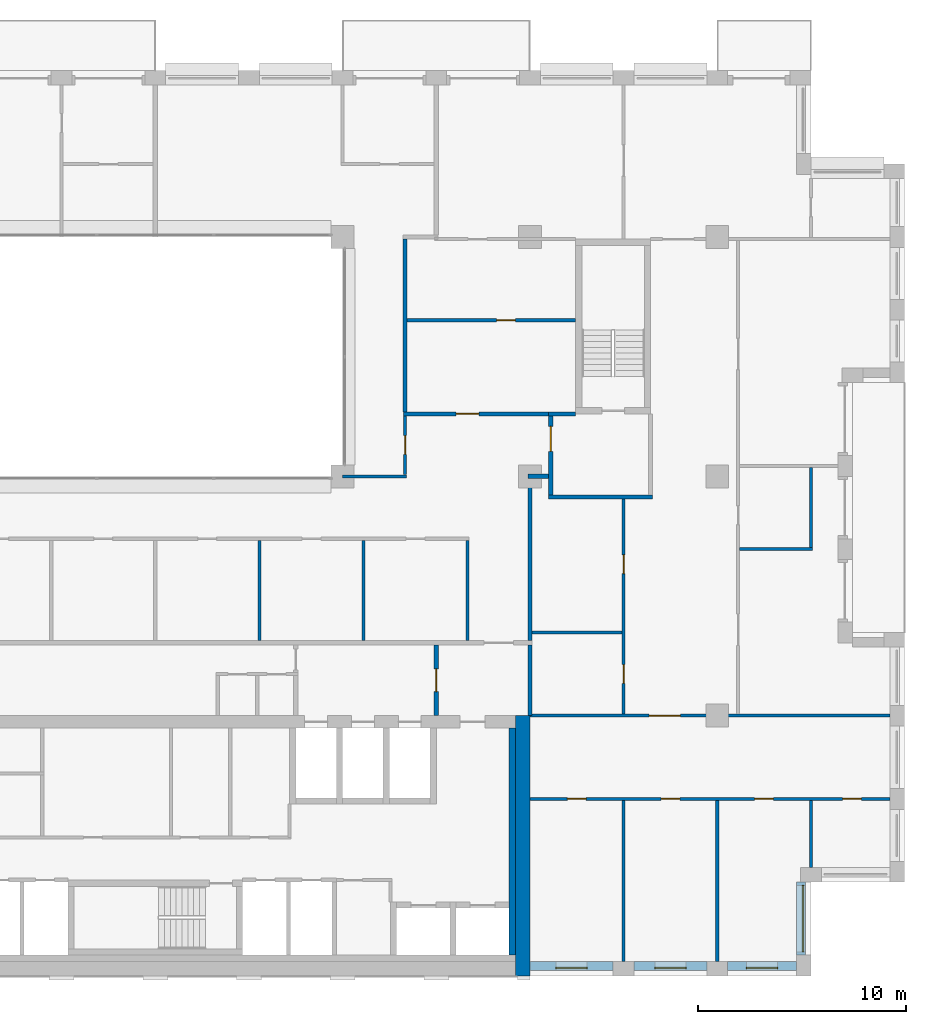
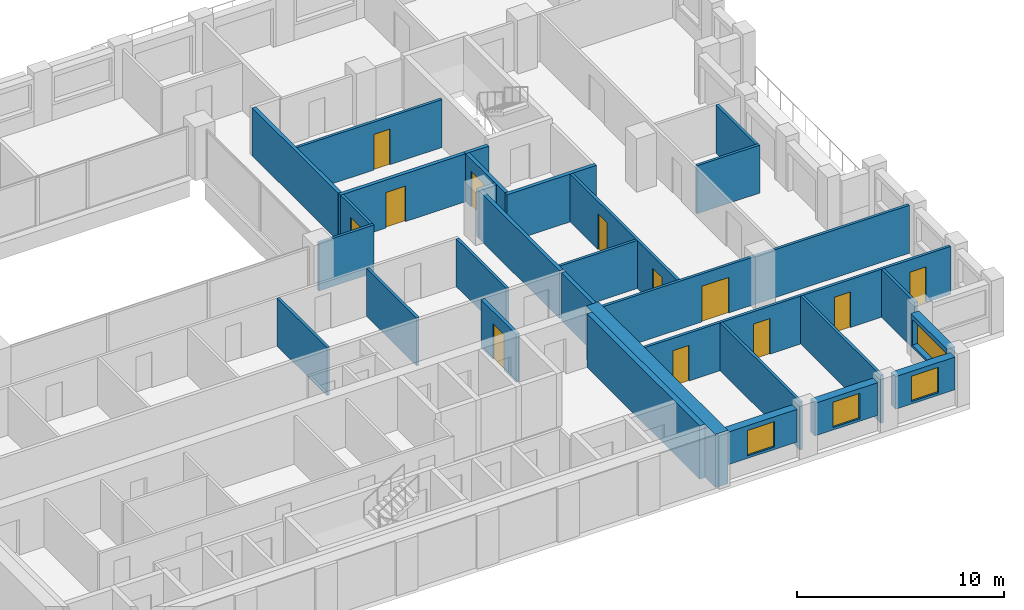
# One storey, part 11 of 16: 30 walls, 12 doors, 4 windows, 16 openings.
"""IFC4 building model written with IfcOpenShell, lengths in metres."""

from ifc_helpers import new_model, si_unit, direction, frame, frame_2d, origin, place, context, subcontext, project, spatial, rectangle, extrude, material, layer, layer_set, type_object, element, fill, save


model = new_model("IFC4")

# Units and contexts
model_context = context("Model", 3, precision=1e-05, world=origin(), true_north=direction((0.0, 1.0)))
body_context = subcontext(model_context, "Body", "Model", "MODEL_VIEW")
ifc_project = project(units=[si_unit("LENGTHUNIT", "METRE"), si_unit("AREAUNIT", "SQUARE_METRE"), si_unit("VOLUMEUNIT", "CUBIC_METRE"), si_unit("PLANEANGLEUNIT", "RADIAN"), si_unit("MASSUNIT", "GRAM", prefix="KILO")], contexts=[model_context])

# Site, building, storey
site_placement = place(None, origin())
site = spatial("IfcSite", under=ifc_project, at=site_placement, CompositionType="ELEMENT")
building_placement = place(site_placement, origin())
building = spatial("IfcBuilding", under=site, at=building_placement, Name="Brigalow Station Residences", CompositionType="ELEMENT")
storey_placement = place(building_placement, frame((0.0, 0.0, 169.64990234375)))
storey = spatial("IfcBuildingStorey", under=building, at=storey_placement, Name="L49", CompositionType="ELEMENT", Elevation=169.64990234375)

# Wall, opening, window
ifc_material_1 = material(Name="Clay brick masonry", Category="masonry")
ifc_layer_1 = layer(ifc_material_1, 0.449951171875)
ifc_layer_set_1 = layer_set([ifc_layer_1], Name="BRICK INFILL WALL 450")
wall_type_1 = type_object("IfcWallType", Name="BRICK INFILL WALL 450", PredefinedType="SOLIDWALL", material=ifc_layer_set_1)
wall_1_placement = place(storey_placement, frame((54.0, 0.47509765625, 0.900146484375), z_axis=(0.0, 0.0, 1.0), x_axis=(1.0, 0.0, 0.0)))
wall_1 = element("IfcWall", 1, at=wall_1_placement, inside=storey, type_object=wall_type_1, Name="L49/ewall/W-L49-4", PredefinedType="SOLIDWALL", context=body_context, shape_type="SweptSolid", body=[
    extrude(rectangle(XDim=4.0, YDim=0.449951171875, at=frame_2d((2.0, 0.0))), origin(), (0.0, 0.0, 1.0), 1.929931640625),
])
opening_1_placement = place(wall_1_placement, frame((1.25, 0.0, 0.14990234375)))
opening_1 = element("IfcOpeningElement", 2, at=opening_1_placement, cuts=wall_1, Name="Opening WT-1", PredefinedType="OPENING", context=body_context, shape_type="SweptSolid", body=[
    extrude(rectangle(XDim=1.5, YDim=1.5, at=frame_2d((0.75, 0.75))), frame((0.0, 0.23486328125, 0.0), z_axis=(0.0, -1.0, 0.0), x_axis=(1.0, 0.0, 0.0)), (0.0, 0.0, 1.0), 0.469970703125),
])
ifc_material_2 = material(Name="Anodised aluminium frame with double glazing", Category="aluminium")
window_type_1 = type_object("IfcWindowType", Name="WINDOW 1500x1500", PartitioningType="SINGLE_PANEL", PredefinedType="WINDOW", material=ifc_material_2)
window_1_placement = place(opening_1_placement, origin())
window_1 = element("IfcWindow", 3, at=window_1_placement, inside=storey, type_object=window_type_1, Name="L49/window/W-L49-4", OverallHeight=1.5, OverallWidth=1.5, PartitioningType="SINGLE_PANEL", PredefinedType="WINDOW", context=body_context, shape_type="SweptSolid", body=[
    extrude(rectangle(XDim=1.5, YDim=1.5, at=frame_2d((0.75, 0.75))), frame((0.0, -0.06494140625, 0.0), z_axis=(0.0, -1.0, 0.0), x_axis=(1.0, 0.0, 0.0)), (0.0, 0.0, 1.0), 0.06005859375),
])
fill(opening_1, window_1)

wall_2_placement = place(storey_placement, frame((59.0, 0.47509765625, 0.900146484375), z_axis=(0.0, 0.0, 1.0), x_axis=(1.0, 0.0, 0.0)))
wall_2 = element("IfcWall", 4, at=wall_2_placement, inside=storey, type_object=wall_type_1, Name="L49/ewall/W-L49-5", PredefinedType="SOLIDWALL", context=body_context, shape_type="SweptSolid", body=[
    extrude(rectangle(XDim=3.5, YDim=0.449951171875, at=frame_2d((1.75, 0.0))), origin(), (0.0, 0.0, 1.0), 1.929931640625),
])
opening_2_placement = place(wall_2_placement, frame((1.0, 0.0, 0.14990234375)))
opening_2 = element("IfcOpeningElement", 5, at=opening_2_placement, cuts=wall_2, Name="Opening WT-1", PredefinedType="OPENING", context=body_context, shape_type="SweptSolid", body=[
    extrude(rectangle(XDim=1.5, YDim=1.5, at=frame_2d((0.75, 0.75))), frame((0.0, 0.23486328125, 0.0), z_axis=(0.0, -1.0, 0.0), x_axis=(1.0, 0.0, 0.0)), (0.0, 0.0, 1.0), 0.469970703125),
])
window_2_placement = place(opening_2_placement, origin())
window_2 = element("IfcWindow", 6, at=window_2_placement, inside=storey, type_object=window_type_1, Name="L49/window/W-L49-5", OverallHeight=1.5, OverallWidth=1.5, PartitioningType="SINGLE_PANEL", PredefinedType="WINDOW", context=body_context, shape_type="SweptSolid", body=[
    extrude(rectangle(XDim=1.5, YDim=1.5, at=frame_2d((0.75, 0.75))), frame((0.0, -0.06494140625, 0.0), z_axis=(0.0, -1.0, 0.0), x_axis=(1.0, 0.0, 0.0)), (0.0, 0.0, 1.0), 0.06005859375),
])
fill(opening_2, window_2)

wall_3_placement = place(storey_placement, frame((63.5, 0.47509765625, 0.900146484375), z_axis=(0.0, 0.0, 1.0), x_axis=(1.0, 0.0, 0.0)))
wall_3 = element("IfcWall", 7, at=wall_3_placement, inside=storey, type_object=wall_type_1, Name="L49/ewall/W-L49-6", PredefinedType="SOLIDWALL", context=body_context, shape_type="SweptSolid", body=[
    extrude(rectangle(XDim=3.300048828125, YDim=0.449951171875, at=frame_2d((1.64990234375, 0.0))), origin(), (0.0, 0.0, 1.0), 1.929931640625),
])
opening_3_placement = place(wall_3_placement, frame((0.89990234375, 0.0, 0.14990234375)))
opening_3 = element("IfcOpeningElement", 8, at=opening_3_placement, cuts=wall_3, Name="Opening WT-1", PredefinedType="OPENING", context=body_context, shape_type="SweptSolid", body=[
    extrude(rectangle(XDim=1.5, YDim=1.5, at=frame_2d((0.75, 0.75))), frame((0.0, 0.23486328125, 0.0), z_axis=(0.0, -1.0, 0.0), x_axis=(1.0, 0.0, 0.0)), (0.0, 0.0, 1.0), 0.469970703125),
])
window_3_placement = place(opening_3_placement, origin())
window_3 = element("IfcWindow", 9, at=window_3_placement, inside=storey, type_object=window_type_1, Name="L49/window/W-L49-6", OverallHeight=1.5, OverallWidth=1.5, PartitioningType="SINGLE_PANEL", PredefinedType="WINDOW", context=body_context, shape_type="SweptSolid", body=[
    extrude(rectangle(XDim=1.5, YDim=1.5, at=frame_2d((0.75, 0.75))), frame((0.0, -0.06494140625, 0.0), z_axis=(0.0, -1.0, 0.0), x_axis=(1.0, 0.0, 0.0)), (0.0, 0.0, 1.0), 0.06005859375),
])
fill(opening_3, window_3)

wall_4_placement = place(storey_placement, frame((67.02490234375, 1.0, 0.900146484375), z_axis=(0.0, 0.0, 1.0), x_axis=(0.0, 1.0, 0.0)))
wall_4 = element("IfcWall", 10, at=wall_4_placement, inside=storey, type_object=wall_type_1, Name="L49/ewall/W-L49-7", PredefinedType="SOLIDWALL", context=body_context, shape_type="SweptSolid", body=[
    extrude(rectangle(XDim=3.5, YDim=0.449951171875, at=frame_2d((1.75, 0.0))), origin(), (0.0, 0.0, 1.0), 1.929931640625),
])
opening_4_placement = place(wall_4_placement, frame((0.14990234375, 0.0, 0.14990234375)))
opening_4 = element("IfcOpeningElement", 11, at=opening_4_placement, cuts=wall_4, Name="Opening WT-9", PredefinedType="OPENING", context=body_context, shape_type="SweptSolid", body=[
    extrude(rectangle(XDim=3.199951171875, YDim=1.5, at=frame_2d((1.60009765625, 0.75))), frame((0.0, 0.23486328125, 0.0), z_axis=(0.0, -1.0, 0.0), x_axis=(1.0, 0.0, 0.0)), (0.0, 0.0, 1.0), 0.469970703125),
])
ifc_material_3 = material(Name="Anodised aluminium frame with double glazing", Category="aluminium")
window_type_2 = type_object("IfcWindowType", Name="WINDOW 3200x1500", PartitioningType="SINGLE_PANEL", PredefinedType="WINDOW", material=ifc_material_3)
window_4_placement = place(opening_4_placement, origin())
window_4 = element("IfcWindow", 12, at=window_4_placement, inside=storey, type_object=window_type_2, Name="L49/window/W-L49-7", OverallHeight=1.5, OverallWidth=3.199951171875, PartitioningType="SINGLE_PANEL", PredefinedType="WINDOW", context=body_context, shape_type="SweptSolid", body=[
    extrude(rectangle(XDim=3.199951171875, YDim=1.5, at=frame_2d((1.60009765625, 0.75))), frame((0.0, -0.06494140625, 0.0), z_axis=(0.0, -1.0, 0.0), x_axis=(1.0, 0.0, 0.0)), (0.0, 0.0, 1.0), 0.06005859375),
])
fill(opening_4, window_4)

# Walls
ifc_material_4 = material(Name="Concrete C65", Category="concrete")
ifc_layer_2 = layer(ifc_material_4, 0.300048828125)
ifc_layer_set_2 = layer_set([ifc_layer_2], Name="CORE SHEAR WALL 300 C65")
wall_type_2 = type_object("IfcWallType", Name="CORE SHEAR WALL 300 C65", PredefinedType="SHEAR", material=ifc_layer_set_2)
wall_5_placement = place(storey_placement, frame((53.14990234375, 1.0, 0.0), z_axis=(0.0, 0.0, 1.0), x_axis=(0.0, 1.0, 0.0)))
element("IfcWall", 13, at=wall_5_placement, inside=storey, type_object=wall_type_2, Name="CORE WALL LIN-E L49", PredefinedType="SHEAR", context=body_context, shape_type="SweptSolid", body=[
    extrude(rectangle(XDim=10.89990234375, YDim=0.300048828125, at=frame_2d((5.449951171875, 0.0))), origin(), (0.0, 0.0, 1.0), 3.150146484375),
])
ifc_material_5 = material(Name="Concrete C65", Category="concrete")
ifc_layer_3 = layer(ifc_material_5, 0.699951171875)
ifc_layer_set_3 = layer_set([ifc_layer_3], Name="CORE SHEAR WALL 700 C65")
wall_type_3 = type_object("IfcWallType", Name="CORE SHEAR WALL 700 C65", PredefinedType="SHEAR", material=ifc_layer_set_3)
wall_6_placement = place(storey_placement, frame((53.64990234375, 0.0, 0.0), z_axis=(0.0, 0.0, 1.0), x_axis=(0.0, 1.0, 0.0)))
element("IfcWall", 14, at=wall_6_placement, inside=storey, type_object=wall_type_3, Name="CORE WALL OUT-E L49", PredefinedType="SHEAR", context=body_context, shape_type="SweptSolid", body=[
    extrude(rectangle(XDim=12.5, YDim=0.699951171875, at=frame_2d((6.25, 0.0))), origin(), (0.0, 0.0, 1.0), 3.150146484375),
])
ifc_material_6 = material(Name="Concrete blockwork", Category="masonry")
ifc_layer_4 = layer(ifc_material_6, 0.199951171875)
ifc_layer_set_4 = layer_set([ifc_layer_4], Name="FIRE RATED CORE PARTITION 200")
wall_type_4 = type_object("IfcWallType", Name="FIRE RATED CORE PARTITION 200", PredefinedType="PARTITIONING", material=ifc_layer_set_4)
wall_7_placement = place(storey_placement, frame((54.89990234375, 23.0, 0.0), z_axis=(0.0, 0.0, 1.0), x_axis=(1.0, 0.0, 0.0)))
element("IfcWall", 15, at=wall_7_placement, inside=storey, type_object=wall_type_4, Name="PW-5024", PredefinedType="PARTITIONING", context=body_context, shape_type="SweptSolid", body=[
    extrude(rectangle(XDim=5.0, YDim=0.199951171875, at=frame_2d((2.5, 0.0))), origin(), (0.0, 0.0, 1.0), 2.830078125),
])
wall_8_placement = place(storey_placement, frame((54.89990234375, 27.0, 0.0), z_axis=(0.0, 0.0, 1.0), x_axis=(1.0, 0.0, 0.0)))
element("IfcWall", 16, at=wall_8_placement, inside=storey, type_object=wall_type_4, Name="PW-5026", PredefinedType="PARTITIONING", context=body_context, shape_type="SweptSolid", body=[
    extrude(rectangle(XDim=1.300048828125, YDim=0.199951171875, at=frame_2d((0.64990234375, 0.0))), origin(), (0.0, 0.0, 1.0), 2.830078125),
])

# Wall, opening, door
wall_9_placement = place(storey_placement, frame((49.5, 12.5, 0.0), z_axis=(0.0, 0.0, 1.0), x_axis=(0.0, 1.0, 0.0)))
wall_9 = element("IfcWall", 17, at=wall_9_placement, inside=storey, type_object=wall_type_4, Name="PW-5015", PredefinedType="PARTITIONING", context=body_context, shape_type="SweptSolid", body=[
    extrude(rectangle(XDim=3.39990234375, YDim=0.199951171875, at=frame_2d((1.699951171875, 0.0))), origin(), (0.0, 0.0, 1.0), 2.830078125),
])
opening_5_placement = place(wall_9_placement, frame((1.14990234375, 0.0, 0.0)))
opening_5 = element("IfcOpeningElement", 18, at=opening_5_placement, cuts=wall_9, Name="Opening D-5014", PredefinedType="OPENING", context=body_context, shape_type="SweptSolid", body=[
    extrude(rectangle(XDim=1.10009765625, YDim=2.10009765625, at=frame_2d((0.550048828125, 1.050048828125))), frame((0.0, 0.10986328125, 0.0), z_axis=(0.0, -1.0, 0.0), x_axis=(1.0, 0.0, 0.0)), (0.0, 0.0, 1.0), 0.219970703125),
])
ifc_material_7 = material(Name="Steel fire door leaf in steel frame", Category="steel")
door_type_1 = type_object("IfcDoorType", Name="LOBBY DOOR 1100 x 2100 FD60S", OperationType="SINGLE_SWING_LEFT", PredefinedType="DOOR", material=ifc_material_7)
door_1_placement = place(opening_5_placement, origin())
door_1 = element("IfcDoor", 19, at=door_1_placement, inside=storey, type_object=door_type_1, Name="D-5014", OperationType="SINGLE_SWING_LEFT", OverallHeight=2.10009765625, OverallWidth=1.10009765625, PredefinedType="DOOR", context=body_context, shape_type="SweptSolid", body=[
    extrude(rectangle(XDim=1.10009765625, YDim=2.10009765625, at=frame_2d((0.550048828125, 1.050048828125))), frame((0.0, 0.02490234375, 0.0), z_axis=(0.0, -1.0, 0.0), x_axis=(1.0, 0.0, 0.0)), (0.0, 0.0, 1.0), 0.050048828125),
])
fill(opening_5, door_1)

# Wall
wall_10_placement = place(storey_placement, frame((54.0, 12.5, 0.0), z_axis=(0.0, 0.0, 1.0), x_axis=(0.0, 1.0, 0.0)))
element("IfcWall", 20, at=wall_10_placement, inside=storey, type_object=wall_type_4, Name="PW-5016", PredefinedType="PARTITIONING", context=body_context, shape_type="SweptSolid", body=[
    extrude(rectangle(XDim=3.39990234375, YDim=0.199951171875, at=frame_2d((1.699951171875, 0.0))), origin(), (0.0, 0.0, 1.0), 2.830078125),
])

# Wall, opening, door
wall_11_placement = place(storey_placement, frame((55.0, 23.10009765625, 0.0), z_axis=(0.0, 0.0, 1.0), x_axis=(0.0, 1.0, 0.0)))
wall_11 = element("IfcWall", 21, at=wall_11_placement, inside=storey, type_object=wall_type_4, Name="PW-5036", PredefinedType="PARTITIONING", context=body_context, shape_type="SweptSolid", body=[
    extrude(rectangle(XDim=3.7998046875, YDim=0.199951171875, at=frame_2d((1.89990234375, 0.0))), origin(), (0.0, 0.0, 1.0), 2.830078125),
])
opening_6_placement = place(wall_11_placement, frame((2.10009765625, 0.0, 0.0)))
opening_6 = element("IfcOpeningElement", 22, at=opening_6_placement, cuts=wall_11, Name="Opening D-5019", PredefinedType="OPENING", context=body_context, shape_type="SweptSolid", body=[
    extrude(rectangle(XDim=1.199951171875, YDim=2.10009765625, at=frame_2d((0.60009765625, 1.050048828125))), frame((0.0, 0.10986328125, 0.0), z_axis=(0.0, -1.0, 0.0), x_axis=(1.0, 0.0, 0.0)), (0.0, 0.0, 1.0), 0.219970703125),
])
ifc_material_8 = material(Name="Steel fire door leaf in steel frame", Category="steel")
door_type_2 = type_object("IfcDoorType", Name="STAIR LOBBY DOOR 1200 x 2100 FD60S", OperationType="SINGLE_SWING_LEFT", PredefinedType="DOOR", material=ifc_material_8)
door_2_placement = place(opening_6_placement, frame((1.199951171875, 0.0, 0.0), z_axis=(0.0, 0.0, 1.0), x_axis=(-1.0, 0.0, 0.0)))
door_2 = element("IfcDoor", 23, at=door_2_placement, inside=storey, type_object=door_type_2, Name="D-5019", OperationType="SINGLE_SWING_LEFT", OverallHeight=2.10009765625, OverallWidth=1.199951171875, PredefinedType="DOOR", context=body_context, shape_type="SweptSolid", body=[
    extrude(rectangle(XDim=1.199951171875, YDim=2.10009765625, at=frame_2d((0.60009765625, 1.050048828125))), frame((0.0, 0.02490234375, 0.0), z_axis=(0.0, -1.0, 0.0), x_axis=(1.0, 0.0, 0.0)), (0.0, 0.0, 1.0), 0.050048828125),
])
fill(opening_6, door_2)

# Wall
ifc_material_9 = material(Name="Plasterboard on steel stud partition", Category="steel")
ifc_layer_5 = layer(ifc_material_9, 0.14990234375)
ifc_layer_set_5 = layer_set([ifc_layer_5], Name="FLAT PARTITION 150")
wall_type_5 = type_object("IfcWallType", Name="FLAT PARTITION 150", PredefinedType="PARTITIONING", material=ifc_layer_set_5)
wall_12_placement = place(storey_placement, frame((45.0, 24.0, 0.0), z_axis=(0.0, 0.0, 1.0), x_axis=(1.0, 0.0, 0.0)))
element("IfcWall", 24, at=wall_12_placement, inside=storey, type_object=wall_type_5, Name="PW-3D01", PredefinedType="PARTITIONING", context=body_context, shape_type="SweptSolid", body=[
    extrude(rectangle(XDim=3.074951171875, YDim=0.14990234375, at=frame_2d((1.53759765625, 0.0))), origin(), (0.0, 0.0, 1.0), 2.830078125),
])

# Wall, openings, doors
wall_13_placement = place(storey_placement, frame((54.0, 8.5, 0.0), z_axis=(0.0, 0.0, 1.0), x_axis=(1.0, 0.0, 0.0)))
wall_13 = element("IfcWall", 25, at=wall_13_placement, inside=storey, type_object=wall_type_5, Name="PW-3D09", PredefinedType="PARTITIONING", context=body_context, shape_type="SweptSolid", body=[
    extrude(rectangle(XDim=17.300048828125, YDim=0.14990234375, at=frame_2d((8.64990234375, 0.0))), origin(), (0.0, 0.0, 1.0), 2.830078125),
])
opening_7_placement = place(wall_13_placement, frame((1.800048828125, 0.0, 0.0)))
opening_7 = element("IfcOpeningElement", 26, at=opening_7_placement, cuts=wall_13, Name="Opening D-3D31", PredefinedType="OPENING", context=body_context, shape_type="SweptSolid", body=[
    extrude(rectangle(XDim=0.89990234375, YDim=2.10009765625, at=frame_2d((0.449951171875, 1.050048828125))), frame((0.0, 0.0849609375, 0.0), z_axis=(0.0, -1.0, 0.0), x_axis=(1.0, 0.0, 0.0)), (0.0, 0.0, 1.0), 0.169921875),
])
opening_8_placement = place(wall_13_placement, frame((6.300048828125, 0.0, 0.0)))
opening_8 = element("IfcOpeningElement", 27, at=opening_8_placement, cuts=wall_13, Name="Opening D-3D32", PredefinedType="OPENING", context=body_context, shape_type="SweptSolid", body=[
    extrude(rectangle(XDim=0.89990234375, YDim=2.10009765625, at=frame_2d((0.449951171875, 1.050048828125))), frame((0.0, 0.0849609375, 0.0), z_axis=(0.0, -1.0, 0.0), x_axis=(1.0, 0.0, 0.0)), (0.0, 0.0, 1.0), 0.169921875),
])
opening_9_placement = place(wall_13_placement, frame((10.800048828125, 0.0, 0.0)))
opening_9 = element("IfcOpeningElement", 28, at=opening_9_placement, cuts=wall_13, Name="Opening D-3D33", PredefinedType="OPENING", context=body_context, shape_type="SweptSolid", body=[
    extrude(rectangle(XDim=0.89990234375, YDim=2.10009765625, at=frame_2d((0.449951171875, 1.050048828125))), frame((0.0, 0.0849609375, 0.0), z_axis=(0.0, -1.0, 0.0), x_axis=(1.0, 0.0, 0.0)), (0.0, 0.0, 1.0), 0.169921875),
])
opening_10_placement = place(wall_13_placement, frame((15.02490234375, 0.0, 0.0)))
opening_10 = element("IfcOpeningElement", 29, at=opening_10_placement, cuts=wall_13, Name="Opening D-3D34", PredefinedType="OPENING", context=body_context, shape_type="SweptSolid", body=[
    extrude(rectangle(XDim=0.89990234375, YDim=2.10009765625, at=frame_2d((0.449951171875, 1.050048828125))), frame((0.0, 0.0849609375, 0.0), z_axis=(0.0, -1.0, 0.0), x_axis=(1.0, 0.0, 0.0)), (0.0, 0.0, 1.0), 0.169921875),
])
ifc_material_10 = material(Name="Solid-core timber door leaf", Category="wood")
door_type_3 = type_object("IfcDoorType", Name="INTERNAL DOOR 900 x 2100", OperationType="SINGLE_SWING_LEFT", PredefinedType="DOOR", material=ifc_material_10)
door_3_placement = place(opening_7_placement, frame((0.89990234375, 0.0, 0.0), z_axis=(0.0, 0.0, 1.0), x_axis=(-1.0, 0.0, 0.0)))
door_3 = element("IfcDoor", 30, at=door_3_placement, inside=storey, type_object=door_type_3, Name="D-3D31", OperationType="SINGLE_SWING_LEFT", OverallHeight=2.10009765625, OverallWidth=0.89990234375, PredefinedType="DOOR", context=body_context, shape_type="SweptSolid", body=[
    extrude(rectangle(XDim=0.89990234375, YDim=2.10009765625, at=frame_2d((0.449951171875, 1.050048828125))), frame((0.0, 0.02490234375, 0.0), z_axis=(0.0, -1.0, 0.0), x_axis=(1.0, 0.0, 0.0)), (0.0, 0.0, 1.0), 0.050048828125),
])
fill(opening_7, door_3)
door_4_placement = place(opening_8_placement, frame((0.89990234375, 0.0, 0.0), z_axis=(0.0, 0.0, 1.0), x_axis=(-1.0, 0.0, 0.0)))
door_4 = element("IfcDoor", 31, at=door_4_placement, inside=storey, type_object=door_type_3, Name="D-3D32", OperationType="SINGLE_SWING_LEFT", OverallHeight=2.10009765625, OverallWidth=0.89990234375, PredefinedType="DOOR", context=body_context, shape_type="SweptSolid", body=[
    extrude(rectangle(XDim=0.89990234375, YDim=2.10009765625, at=frame_2d((0.449951171875, 1.050048828125))), frame((0.0, 0.02490234375, 0.0), z_axis=(0.0, -1.0, 0.0), x_axis=(1.0, 0.0, 0.0)), (0.0, 0.0, 1.0), 0.050048828125),
])
fill(opening_8, door_4)
door_5_placement = place(opening_9_placement, frame((0.89990234375, 0.0, 0.0), z_axis=(0.0, 0.0, 1.0), x_axis=(-1.0, 0.0, 0.0)))
door_5 = element("IfcDoor", 32, at=door_5_placement, inside=storey, type_object=door_type_3, Name="D-3D33", OperationType="SINGLE_SWING_RIGHT", OverallHeight=2.10009765625, OverallWidth=0.89990234375, PredefinedType="DOOR", context=body_context, shape_type="SweptSolid", body=[
    extrude(rectangle(XDim=0.89990234375, YDim=2.10009765625, at=frame_2d((0.449951171875, 1.050048828125))), frame((0.0, 0.02490234375, 0.0), z_axis=(0.0, -1.0, 0.0), x_axis=(1.0, 0.0, 0.0)), (0.0, 0.0, 1.0), 0.050048828125),
])
fill(opening_9, door_5)
door_6_placement = place(opening_10_placement, frame((0.89990234375, 0.0, 0.0), z_axis=(0.0, 0.0, 1.0), x_axis=(-1.0, 0.0, 0.0)))
door_6 = element("IfcDoor", 33, at=door_6_placement, inside=storey, type_object=door_type_3, Name="D-3D34", OperationType="SINGLE_SWING_LEFT", OverallHeight=2.10009765625, OverallWidth=0.89990234375, PredefinedType="DOOR", context=body_context, shape_type="SweptSolid", body=[
    extrude(rectangle(XDim=0.89990234375, YDim=2.10009765625, at=frame_2d((0.449951171875, 1.050048828125))), frame((0.0, 0.02490234375, 0.0), z_axis=(0.0, -1.0, 0.0), x_axis=(1.0, 0.0, 0.0)), (0.0, 0.0, 1.0), 0.050048828125),
])
fill(opening_10, door_6)

# Wall, opening, door
wall_14_placement = place(storey_placement, frame((54.0, 12.5, 0.0), z_axis=(0.0, 0.0, 1.0), x_axis=(1.0, 0.0, 0.0)))
wall_14 = element("IfcWall", 34, at=wall_14_placement, inside=storey, type_object=wall_type_5, Name="PW-3D11", PredefinedType="PARTITIONING", context=body_context, shape_type="SweptSolid", body=[
    extrude(rectangle(XDim=17.300048828125, YDim=0.14990234375, at=frame_2d((8.64990234375, 0.0))), origin(), (0.0, 0.0, 1.0), 2.830078125),
])
opening_11_placement = place(wall_14_placement, frame((5.72509765625, 0.0, 0.0)))
opening_11 = element("IfcOpeningElement", 35, at=opening_11_placement, cuts=wall_14, Name="Opening D-3D30", PredefinedType="OPENING", context=body_context, shape_type="SweptSolid", body=[
    extrude(rectangle(XDim=1.5, YDim=2.10009765625, at=frame_2d((0.75, 1.050048828125))), frame((0.0, 0.0849609375, 0.0), z_axis=(0.0, -1.0, 0.0), x_axis=(1.0, 0.0, 0.0)), (0.0, 0.0, 1.0), 0.169921875),
])
ifc_material_11 = material(Name="Solid-core timber door leaf", Category="wood")
door_type_4 = type_object("IfcDoorType", Name="INTERNAL DOUBLE DOOR 1500 x 2100", OperationType="DOUBLE_DOOR_SINGLE_SWING", PredefinedType="DOOR", material=ifc_material_11)
door_7_placement = place(opening_11_placement, frame((1.5, 0.0, 0.0), z_axis=(0.0, 0.0, 1.0), x_axis=(-1.0, 0.0, 0.0)))
door_7 = element("IfcDoor", 36, at=door_7_placement, inside=storey, type_object=door_type_4, Name="D-3D30", OperationType="DOUBLE_DOOR_SINGLE_SWING", OverallHeight=2.10009765625, OverallWidth=1.5, PredefinedType="DOOR", context=body_context, shape_type="SweptSolid", body=[
    extrude(rectangle(XDim=1.5, YDim=2.10009765625, at=frame_2d((0.75, 1.050048828125))), frame((0.0, 0.02490234375, 0.0), z_axis=(0.0, -1.0, 0.0), x_axis=(1.0, 0.0, 0.0)), (0.0, 0.0, 1.0), 0.050048828125),
])
fill(opening_11, door_7)

# Wall
wall_15_placement = place(storey_placement, frame((54.10009765625, 16.5, 0.0), z_axis=(0.0, 0.0, 1.0), x_axis=(1.0, 0.0, 0.0)))
element("IfcWall", 37, at=wall_15_placement, inside=storey, type_object=wall_type_5, Name="PW-3D14", PredefinedType="PARTITIONING", context=body_context, shape_type="SweptSolid", body=[
    extrude(rectangle(XDim=4.324951171875, YDim=0.14990234375, at=frame_2d((2.16259765625, 0.0))), origin(), (0.0, 0.0, 1.0), 2.830078125),
])

# Wall, opening, door
wall_16_placement = place(storey_placement, frame((48.10009765625, 31.5, 0.0), z_axis=(0.0, 0.0, 1.0), x_axis=(1.0, 0.0, 0.0)))
wall_16 = element("IfcWall", 38, at=wall_16_placement, inside=storey, type_object=wall_type_5, Name="PW-3D25", PredefinedType="PARTITIONING", context=body_context, shape_type="SweptSolid", body=[
    extrude(rectangle(XDim=8.099853515625, YDim=0.14990234375, at=frame_2d((4.0498046875, 0.0))), origin(), (0.0, 0.0, 1.0), 2.830078125),
])
opening_12_placement = place(wall_16_placement, frame((4.300048828125, 0.0, 0.0)))
opening_12 = element("IfcOpeningElement", 39, at=opening_12_placement, cuts=wall_16, Name="Opening D-3D20", PredefinedType="OPENING", context=body_context, shape_type="SweptSolid", body=[
    extrude(rectangle(XDim=0.89990234375, YDim=2.10009765625, at=frame_2d((0.449951171875, 1.050048828125))), frame((0.0, 0.0849609375, 0.0), z_axis=(0.0, -1.0, 0.0), x_axis=(1.0, 0.0, 0.0)), (0.0, 0.0, 1.0), 0.169921875),
])
door_8_placement = place(opening_12_placement, origin())
door_8 = element("IfcDoor", 40, at=door_8_placement, inside=storey, type_object=door_type_3, Name="D-3D20", OperationType="SINGLE_SWING_RIGHT", OverallHeight=2.10009765625, OverallWidth=0.89990234375, PredefinedType="DOOR", context=body_context, shape_type="SweptSolid", body=[
    extrude(rectangle(XDim=0.89990234375, YDim=2.10009765625, at=frame_2d((0.449951171875, 1.050048828125))), frame((0.0, 0.02490234375, 0.0), z_axis=(0.0, -1.0, 0.0), x_axis=(1.0, 0.0, 0.0)), (0.0, 0.0, 1.0), 0.050048828125),
])
fill(opening_12, door_8)

# Walls
wall_17_placement = place(storey_placement, frame((64.074951171875, 20.5, 0.0), z_axis=(0.0, 0.0, 1.0), x_axis=(1.0, 0.0, 0.0)))
element("IfcWall", 41, at=wall_17_placement, inside=storey, type_object=wall_type_5, Name="PW-3D26", PredefinedType="PARTITIONING", context=body_context, shape_type="SweptSolid", body=[
    extrude(rectangle(XDim=3.5, YDim=0.14990234375, at=frame_2d((1.75, 0.0))), origin(), (0.0, 0.0, 1.0), 2.830078125),
])
wall_18_placement = place(storey_placement, frame((51.0, 16.10009765625, 0.0), z_axis=(0.0, 0.0, 1.0), x_axis=(0.0, 1.0, 0.0)))
element("IfcWall", 42, at=wall_18_placement, inside=storey, type_object=wall_type_5, Name="PW-3D31", PredefinedType="PARTITIONING", context=body_context, shape_type="SweptSolid", body=[
    extrude(rectangle(XDim=4.824951171875, YDim=0.14990234375, at=frame_2d((2.41259765625, 0.0))), origin(), (0.0, 0.0, 1.0), 2.830078125),
])

# Wall, opening, door
wall_19_placement = place(storey_placement, frame((48.0, 24.074951171875, 0.0), z_axis=(0.0, 0.0, 1.0), x_axis=(0.0, 1.0, 0.0)))
wall_19 = element("IfcWall", 43, at=wall_19_placement, inside=storey, type_object=wall_type_5, Name="PW-3D33", PredefinedType="PARTITIONING", context=body_context, shape_type="SweptSolid", body=[
    extrude(rectangle(XDim=2.824951171875, YDim=0.14990234375, at=frame_2d((1.41259765625, 0.0))), origin(), (0.0, 0.0, 1.0), 2.830078125),
])
opening_13_placement = place(wall_19_placement, frame((0.97509765625, 0.0, 0.0)))
opening_13 = element("IfcOpeningElement", 44, at=opening_13_placement, cuts=wall_19, Name="Opening D-3D35", PredefinedType="OPENING", context=body_context, shape_type="SweptSolid", body=[
    extrude(rectangle(XDim=0.89990234375, YDim=2.10009765625, at=frame_2d((0.449951171875, 1.050048828125))), frame((0.0, 0.0849609375, 0.0), z_axis=(0.0, -1.0, 0.0), x_axis=(1.0, 0.0, 0.0)), (0.0, 0.0, 1.0), 0.169921875),
])
door_9_placement = place(opening_13_placement, frame((0.89990234375, 0.0, 0.0), z_axis=(0.0, 0.0, 1.0), x_axis=(-1.0, 0.0, 0.0)))
door_9 = element("IfcDoor", 45, at=door_9_placement, inside=storey, type_object=door_type_3, Name="D-3D35", OperationType="SINGLE_SWING_LEFT", OverallHeight=2.10009765625, OverallWidth=0.89990234375, PredefinedType="DOOR", context=body_context, shape_type="SweptSolid", body=[
    extrude(rectangle(XDim=0.89990234375, YDim=2.10009765625, at=frame_2d((0.449951171875, 1.050048828125))), frame((0.0, 0.02490234375, 0.0), z_axis=(0.0, -1.0, 0.0), x_axis=(1.0, 0.0, 0.0)), (0.0, 0.0, 1.0), 0.050048828125),
])
fill(opening_13, door_9)

# Wall
wall_20_placement = place(storey_placement, frame((58.5, 0.699951171875, 0.0), z_axis=(0.0, 0.0, 1.0), x_axis=(0.0, 1.0, 0.0)))
element("IfcWall", 46, at=wall_20_placement, inside=storey, type_object=wall_type_5, Name="PW-3D46", PredefinedType="PARTITIONING", context=body_context, shape_type="SweptSolid", body=[
    extrude(rectangle(XDim=7.72509765625, YDim=0.14990234375, at=frame_2d((3.862548828125, 0.0))), origin(), (0.0, 0.0, 1.0), 2.830078125),
])

# Wall, openings, doors
wall_21_placement = place(storey_placement, frame((58.5, 12.574951171875, 0.0), z_axis=(0.0, 0.0, 1.0), x_axis=(0.0, 1.0, 0.0)))
wall_21 = element("IfcWall", 47, at=wall_21_placement, inside=storey, type_object=wall_type_5, Name="PW-3D47", PredefinedType="PARTITIONING", context=body_context, shape_type="SweptSolid", body=[
    extrude(rectangle(XDim=10.324951171875, YDim=0.14990234375, at=frame_2d((5.16259765625, 0.0))), origin(), (0.0, 0.0, 1.0), 2.830078125),
])
opening_14_placement = place(wall_21_placement, frame((6.75, 0.0, 0.0)))
opening_14 = element("IfcOpeningElement", 48, at=opening_14_placement, cuts=wall_21, Name="Opening D-3D27", PredefinedType="OPENING", context=body_context, shape_type="SweptSolid", body=[
    extrude(rectangle(XDim=0.89990234375, YDim=2.10009765625, at=frame_2d((0.449951171875, 1.050048828125))), frame((0.0, 0.0849609375, 0.0), z_axis=(0.0, -1.0, 0.0), x_axis=(1.0, 0.0, 0.0)), (0.0, 0.0, 1.0), 0.169921875),
])
opening_15_placement = place(wall_21_placement, frame((1.47509765625, 0.0, 0.0)))
opening_15 = element("IfcOpeningElement", 49, at=opening_15_placement, cuts=wall_21, Name="Opening D-3D29", PredefinedType="OPENING", context=body_context, shape_type="SweptSolid", body=[
    extrude(rectangle(XDim=0.89990234375, YDim=2.10009765625, at=frame_2d((0.449951171875, 1.050048828125))), frame((0.0, 0.0849609375, 0.0), z_axis=(0.0, -1.0, 0.0), x_axis=(1.0, 0.0, 0.0)), (0.0, 0.0, 1.0), 0.169921875),
])
door_10_placement = place(opening_14_placement, origin())
door_10 = element("IfcDoor", 50, at=door_10_placement, inside=storey, type_object=door_type_3, Name="D-3D27", OperationType="SINGLE_SWING_RIGHT", OverallHeight=2.10009765625, OverallWidth=0.89990234375, PredefinedType="DOOR", context=body_context, shape_type="SweptSolid", body=[
    extrude(rectangle(XDim=0.89990234375, YDim=2.10009765625, at=frame_2d((0.449951171875, 1.050048828125))), frame((0.0, 0.02490234375, 0.0), z_axis=(0.0, -1.0, 0.0), x_axis=(1.0, 0.0, 0.0)), (0.0, 0.0, 1.0), 0.050048828125),
])
fill(opening_14, door_10)
door_11_placement = place(opening_15_placement, origin())
door_11 = element("IfcDoor", 51, at=door_11_placement, inside=storey, type_object=door_type_3, Name="D-3D29", OperationType="SINGLE_SWING_RIGHT", OverallHeight=2.10009765625, OverallWidth=0.89990234375, PredefinedType="DOOR", context=body_context, shape_type="SweptSolid", body=[
    extrude(rectangle(XDim=0.89990234375, YDim=2.10009765625, at=frame_2d((0.449951171875, 1.050048828125))), frame((0.0, 0.02490234375, 0.0), z_axis=(0.0, -1.0, 0.0), x_axis=(1.0, 0.0, 0.0)), (0.0, 0.0, 1.0), 0.050048828125),
])
fill(opening_15, door_11)

# Walls
wall_22_placement = place(storey_placement, frame((67.5, 5.199951171875, 0.0), z_axis=(0.0, 0.0, 1.0), x_axis=(0.0, 1.0, 0.0)))
element("IfcWall", 52, at=wall_22_placement, inside=storey, type_object=wall_type_5, Name="PW-3D49", PredefinedType="PARTITIONING", context=body_context, shape_type="SweptSolid", body=[
    extrude(rectangle(XDim=3.22509765625, YDim=0.14990234375, at=frame_2d((1.612548828125, 0.0))), origin(), (0.0, 0.0, 1.0), 2.830078125),
])
wall_23_placement = place(storey_placement, frame((67.5, 20.574951171875, 0.0), z_axis=(0.0, 0.0, 1.0), x_axis=(0.0, 1.0, 0.0)))
element("IfcWall", 53, at=wall_23_placement, inside=storey, type_object=wall_type_5, Name="PW-3D50", PredefinedType="PARTITIONING", context=body_context, shape_type="SweptSolid", body=[
    extrude(rectangle(XDim=3.85009765625, YDim=0.14990234375, at=frame_2d((1.925048828125, 0.0))), origin(), (0.0, 0.0, 1.0), 2.830078125),
])
wall_24_placement = place(storey_placement, frame((63.0, 0.699951171875, 0.0), z_axis=(0.0, 0.0, 1.0), x_axis=(0.0, 1.0, 0.0)))
element("IfcWall", 54, at=wall_24_placement, inside=storey, type_object=wall_type_5, Name="PW-3D53", PredefinedType="PARTITIONING", context=body_context, shape_type="SweptSolid", body=[
    extrude(rectangle(XDim=7.72509765625, YDim=0.14990234375, at=frame_2d((3.862548828125, 0.0))), origin(), (0.0, 0.0, 1.0), 2.830078125),
])
for number, where, z_axis, x_axis, name in (
    (55, (41.0, 16.10009765625, 0.0), (0.0, 0.0, 1.0), (0.0, 1.0, 0.0), "PW-3D57"),
    (56, (46.0, 16.10009765625, 0.0), (0.0, 0.0, 1.0), (0.0, 1.0, 0.0), "PW-3D58"),
):
    element("IfcWall", number, at=place(storey_placement, frame(where, z_axis=z_axis, x_axis=x_axis)), inside=storey, type_object=wall_type_5, Name=name, PredefinedType="PARTITIONING", context=body_context, shape_type="SweptSolid", body=[
        extrude(rectangle(XDim=4.824951171875, YDim=0.14990234375, at=frame_2d((2.41259765625, 0.0))), origin(), (0.0, 0.0, 1.0), 2.830078125),
    ])
ifc_material_12 = material(Name="Plasterboard on steel stud partition", Category="steel")
ifc_layer_6 = layer(ifc_material_12, 0.199951171875)
ifc_layer_set_6 = layer_set([ifc_layer_6], Name="PARTY AND CORRIDOR WALL 200")
wall_type_6 = type_object("IfcWallType", Name="PARTY AND CORRIDOR WALL 200", PredefinedType="PARTITIONING", material=ifc_layer_set_6)
wall_25_placement = place(storey_placement, frame((53.89990234375, 24.0, 0.0), z_axis=(0.0, 0.0, 1.0), x_axis=(1.0, 0.0, 0.0)))
element("IfcWall", 57, at=wall_25_placement, inside=storey, type_object=wall_type_6, Name="PW-3D04", PredefinedType="PARTITIONING", context=body_context, shape_type="SweptSolid", body=[
    extrude(rectangle(XDim=1.0, YDim=0.199951171875, at=frame_2d((0.5, 0.0))), origin(), (0.0, 0.0, 1.0), 2.830078125),
])

# Wall, opening, door
wall_26_placement = place(storey_placement, frame((47.925048828125, 27.0, 0.0), z_axis=(0.0, 0.0, 1.0), x_axis=(1.0, 0.0, 0.0)))
wall_26 = element("IfcWall", 58, at=wall_26_placement, inside=storey, type_object=wall_type_6, Name="PW-3D07", PredefinedType="PARTITIONING", context=body_context, shape_type="SweptSolid", body=[
    extrude(rectangle(XDim=6.974853515625, YDim=0.199951171875, at=frame_2d((3.4873046875, 0.0))), origin(), (0.0, 0.0, 1.0), 2.830078125),
])
opening_16_placement = place(wall_26_placement, frame((2.52490234375, 0.0, 0.0)))
opening_16 = element("IfcOpeningElement", 59, at=opening_16_placement, cuts=wall_26, Name="Opening D-3D19", PredefinedType="OPENING", context=body_context, shape_type="SweptSolid", body=[
    extrude(rectangle(XDim=1.10009765625, YDim=2.10009765625, at=frame_2d((0.550048828125, 1.050048828125))), frame((0.0, 0.10986328125, 0.0), z_axis=(0.0, -1.0, 0.0), x_axis=(1.0, 0.0, 0.0)), (0.0, 0.0, 1.0), 0.219970703125),
])
ifc_material_13 = material(Name="Solid-core timber door leaf", Category="wood")
door_type_5 = type_object("IfcDoorType", Name="FLAT ENTRANCE DOOR 1100 x 2100 FRL -/60/30", OperationType="SINGLE_SWING_LEFT", PredefinedType="DOOR", material=ifc_material_13)
door_12_placement = place(opening_16_placement, origin())
door_12 = element("IfcDoor", 60, at=door_12_placement, inside=storey, type_object=door_type_5, Name="D-3D19", OperationType="SINGLE_SWING_LEFT", OverallHeight=2.10009765625, OverallWidth=1.10009765625, PredefinedType="DOOR", context=body_context, shape_type="SweptSolid", body=[
    extrude(rectangle(XDim=1.10009765625, YDim=2.10009765625, at=frame_2d((0.550048828125, 1.050048828125))), frame((0.0, 0.02490234375, 0.0), z_axis=(0.0, -1.0, 0.0), x_axis=(1.0, 0.0, 0.0)), (0.0, 0.0, 1.0), 0.050048828125),
])
fill(opening_16, door_12)

# Walls
wall_27_placement = place(storey_placement, frame((54.0, 16.10009765625, 0.0), z_axis=(0.0, 0.0, 1.0), x_axis=(0.0, 1.0, 0.0)))
element("IfcWall", 61, at=wall_27_placement, inside=storey, type_object=wall_type_6, Name="PW-3D29", PredefinedType="PARTITIONING", context=body_context, shape_type="SweptSolid", body=[
    extrude(rectangle(XDim=7.7998046875, YDim=0.199951171875, at=frame_2d((3.89990234375, 0.0))), origin(), (0.0, 0.0, 1.0), 2.830078125),
])
wall_28_placement = place(storey_placement, frame((48.0, 27.10009765625, 0.0), z_axis=(0.0, 0.0, 1.0), x_axis=(0.0, 1.0, 0.0)))
element("IfcWall", 62, at=wall_28_placement, inside=storey, type_object=wall_type_6, Name="PW-3D34", PredefinedType="PARTITIONING", context=body_context, shape_type="SweptSolid", body=[
    extrude(rectangle(XDim=8.2998046875, YDim=0.199951171875, at=frame_2d((4.14990234375, 0.0))), origin(), (0.0, 0.0, 1.0), 2.830078125),
])

save(model, "model.ifc")
